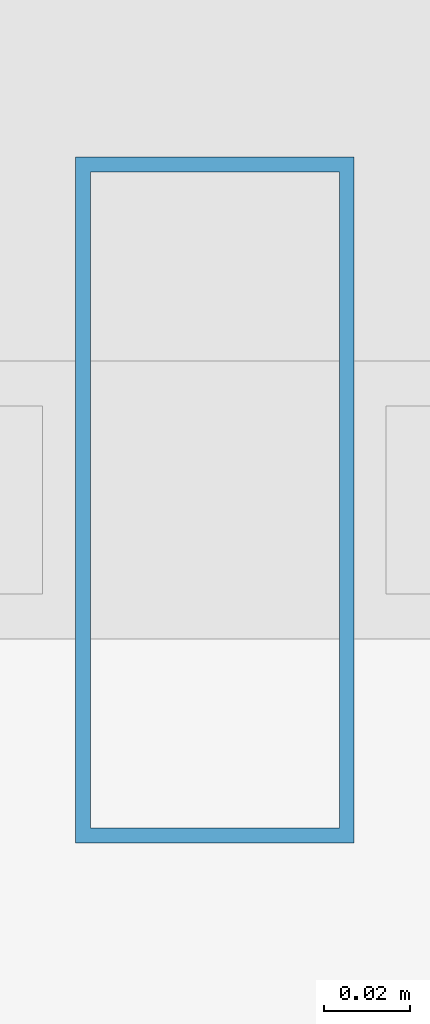
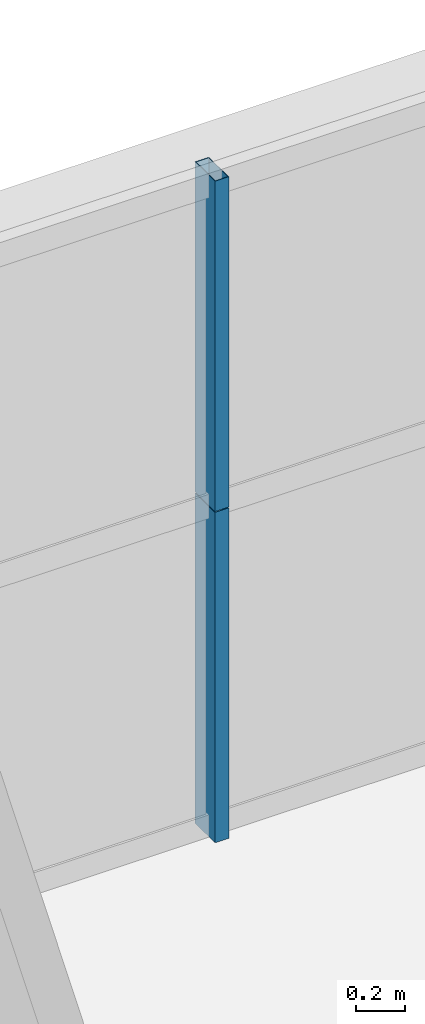
# One storey, part 31 of 42: 2 members, 1 element without a shape of its own.
"""IFC4 building model written with IfcOpenShell, lengths in metres."""

import ifcopenshell
import ifcopenshell.guid

model = None  # the IFC model being written
_history = None  # IfcOwnerHistory: only IFC2X3 demands one
_inside = {}  # id of a spatial element -> (the spatial element, [elements in it])
_under = {}  # id of a project, library or spatial element -> (it, [spatial elements below it])
_declared = {}  # id of a project -> (the project, [libraries it declares])
_typed = {}  # id of a type object -> (the type object, [elements of that type])
_made_of = {}  # id of a material, layer set ... -> (it, [elements and type objects made of it])


def new_model(schema):
    """Start an empty IFC model of exactly this schema.

    Asked for "IFC4X3", IfcOpenShell would pick the latest addendum, in which some entities
    have other attributes; the version numbers below select the first issue.
    IFC2X3 requires an IfcOwnerHistory on every rooted entity: one is made here for all.
    """
    global model, _history
    if schema == "IFC4X3":
        model = ifcopenshell.file(schema_version=(4, 3, 0, 0))
    else:
        model = ifcopenshell.file(schema=schema)
    _inside.clear()
    _under.clear()
    _declared.clear()
    _typed.clear()
    _made_of.clear()
    _history = None
    if model.schema == "IFC2X3":
        org = make("IfcOrganization", Name="unknown")
        user = make(
            "IfcPersonAndOrganization",
            ThePerson=make("IfcPerson", FamilyName="unknown"),
            TheOrganization=org,
        )
        app = make(
            "IfcApplication",
            ApplicationDeveloper=org,
            Version="unknown",
            ApplicationFullName="unknown",
            ApplicationIdentifier="unknown",
        )
        _history = make(
            "IfcOwnerHistory",
            OwningUser=user,
            OwningApplication=app,
            ChangeAction="ADDED",
            CreationDate=0,
        )
    return model


def make(cls, **values):
    """One entity of the class cls with the attributes given. An attribute that is None is left unset."""
    return model.create_entity(
        cls, **{name: value for name, value in values.items() if value is not None}
    )


def rooted(cls, **values):
    """An entity with a GlobalId (a new one), such as an element, a storey or a relation."""
    return make(cls, GlobalId=ifcopenshell.guid.new(), OwnerHistory=_history, **values)


def si_unit(unit_type, name, prefix=None):
    """IfcSIUnit, for example si_unit("LENGTHUNIT", "METRE", prefix="MILLI")."""
    return make("IfcSIUnit", UnitType=unit_type, Prefix=prefix, Name=name)


def assignment(units):
    """IfcUnitAssignment: the units of a project."""
    return None if units is None else make("IfcUnitAssignment", Units=units)


def point(xyz):
    """IfcCartesianPoint."""
    return None if xyz is None else make("IfcCartesianPoint", Coordinates=xyz)


def direction(xyz):
    """IfcDirection."""
    return None if xyz is None else make("IfcDirection", DirectionRatios=xyz)


def frame(location, z_axis=None, x_axis=None):
    """IfcAxis2Placement3D, a coordinate frame: its origin and axes. An axis left out is left unset."""
    return make(
        "IfcAxis2Placement3D",
        Location=point(location),
        Axis=direction(z_axis),
        RefDirection=direction(x_axis),
    )


def frame_2d(location, x_axis=None):
    """IfcAxis2Placement2D, a coordinate frame in the plane: its origin and x axis."""
    return make(
        "IfcAxis2Placement2D", Location=point(location), RefDirection=direction(x_axis)
    )


def origin():
    """The frame at (0, 0, 0) with its axes left unset."""
    return frame((0.0, 0.0, 0.0))


def origin_2d():
    """The frame at (0, 0) in the plane with its x axis left unset."""
    return frame_2d((0.0, 0.0))


def place(relative_to, where):
    """IfcLocalPlacement: puts the frame where relative to a parent placement (None: the world)."""
    return make(
        "IfcLocalPlacement", PlacementRelTo=relative_to, RelativePlacement=where
    )


def context(
    kind, dimensions, precision=None, world=None, true_north=None, identifier=None
):
    """IfcGeometricRepresentationContext, for example the 3D "Model" context."""
    return make(
        "IfcGeometricRepresentationContext",
        ContextIdentifier=identifier,
        ContextType=kind,
        CoordinateSpaceDimension=dimensions,
        Precision=precision,
        WorldCoordinateSystem=world,
        TrueNorth=true_north,
    )


def subcontext(parent, identifier, kind, view, scale=None):
    """IfcGeometricRepresentationSubContext, for example "Body" below "Model"."""
    return make(
        "IfcGeometricRepresentationSubContext",
        ContextIdentifier=identifier,
        ContextType=kind,
        ParentContext=parent,
        TargetScale=scale,
        TargetView=view,
    )


def project(units=None, contexts=None):
    """IfcProject with its units and contexts."""
    return rooted(
        "IfcProject",
        Name="project",
        RepresentationContexts=contexts,
        UnitsInContext=assignment(units),
    )


def spatial(cls, under=None, at=None, **own):
    """A site, building, storey or space (cls), placed at a placement, below another one or the project."""
    s = rooted(cls, ObjectPlacement=at, **own)
    if under is not None:
        _under.setdefault(under.id(), (under, []))[1].append(s)
    return s


def profile(cls, at=None, kind="AREA", **sizes):
    """A parametric profile (cls). Its sizes go by their IFC names, for example OverallWidth=200.0."""
    return make(cls, ProfileType=kind, Position=at, **sizes)


def hollow_rectangle(**sizes):
    """IfcRectangleHollowProfileDef."""
    return profile("IfcRectangleHollowProfileDef", **sizes)


def extrude(swept, where, along, depth):
    """IfcExtrudedAreaSolid: the profile swept, set in the frame where, extruded along a direction by depth."""
    return make(
        "IfcExtrudedAreaSolid",
        SweptArea=swept,
        Position=where,
        ExtrudedDirection=direction(along),
        Depth=depth,
    )


def shape(context_of_items, identifier, shape_type, items):
    """IfcShapeRepresentation: the items that make up one representation, for example the "Body"."""
    return make(
        "IfcShapeRepresentation",
        ContextOfItems=context_of_items,
        RepresentationIdentifier=identifier,
        RepresentationType=shape_type,
        Items=items,
    )


def source(mapping_origin, context_of_items, identifier, shape_type, items):
    """IfcRepresentationMap: a shape defined once, which mapped items show again and again."""
    return make(
        "IfcRepresentationMap",
        MappingOrigin=mapping_origin,
        MappedRepresentation=shape(context_of_items, identifier, shape_type, items),
    )


def transform(
    local_origin,
    x_axis=None,
    y_axis=None,
    z_axis=None,
    scale=None,
    scale2=None,
    scale3=None,
    uniform=True,
):
    """IfcCartesianTransformationOperator3D, or its non-uniform kind. x_axis, y_axis, z_axis: its Axis1, 2, 3."""
    if uniform:
        return make(
            "IfcCartesianTransformationOperator3D",
            Axis1=direction(x_axis),
            Axis2=direction(y_axis),
            LocalOrigin=point(local_origin),
            Scale=scale,
            Axis3=direction(z_axis),
        )
    return make(
        "IfcCartesianTransformationOperator3DnonUniform",
        Axis1=direction(x_axis),
        Axis2=direction(y_axis),
        LocalOrigin=point(local_origin),
        Scale=scale,
        Axis3=direction(z_axis),
        Scale2=scale2,
        Scale3=scale3,
    )


def mapped(mapping_source, mapping_target):
    """IfcMappedItem: shows the shape of a source again, moved by a transform."""
    return make(
        "IfcMappedItem", MappingSource=mapping_source, MappingTarget=mapping_target
    )


def material(Name=None, Category=None):
    """IfcMaterial."""
    return make("IfcMaterial", Name=Name, Category=Category)


def layer(
    of_material, thickness, ventilated=None, Name=None, Category=None, Priority=None
):
    """IfcMaterialLayer: one layer of a wall or slab, of a material (None: an air gap)."""
    return make(
        "IfcMaterialLayer",
        Material=of_material,
        LayerThickness=thickness,
        IsVentilated=ventilated,
        Name=Name,
        Category=Category,
        Priority=Priority,
    )


def layer_set(layers, Name=None):
    """IfcMaterialLayerSet."""
    return make("IfcMaterialLayerSet", MaterialLayers=layers, LayerSetName=Name)


def material_profile(
    of_material, cross_section, Name=None, Category=None, Priority=None
):
    """IfcMaterialProfile: a cross section and its material."""
    return make(
        "IfcMaterialProfile",
        Name=Name,
        Material=of_material,
        Profile=cross_section,
        Priority=Priority,
        Category=Category,
    )


def profile_set(profiles, Name=None, composite=None):
    """IfcMaterialProfileSet."""
    return make(
        "IfcMaterialProfileSet",
        Name=Name,
        MaterialProfiles=profiles,
        CompositeProfile=composite,
    )


def made_of(thing, what):
    """Note that an element or type object is made of a material, layer set ...; save() writes the relation."""
    if what is not None:
        _made_of.setdefault(what.id(), (what, []))[1].append(thing)
    return thing


def type_object(cls, material=None, **own):
    """A type object (cls), such as IfcWallType, which elements share."""
    return made_of(rooted(cls, **own), material)


def element(
    cls,
    number,
    at=None,
    inside=None,
    cuts=None,
    type_object=None,
    material=None,
    context=None,
    identifier="Body",
    shape_type=None,
    held_by="IfcProductDefinitionShape",
    body=None,
    shapes=None,
    **own,
):
    """One element of the class cls, such as IfcWall. Its Tag is "e" and its number.

    at: its placement. inside: the storey or other place that contains it. cuts: it is an
    opening in that element (IfcRelVoidsElement). A single representation is given by context,
    identifier, shape_type and body (its items); several are given by shapes. held_by: the class
    of the entity that holds the representations. save() writes the other relations.
    """
    e = rooted(cls, Tag="e%d" % number, ObjectPlacement=at, **own)
    if body is not None:
        shapes = [shape(context, identifier, shape_type, body)]
    if shapes is not None:
        e.Representation = make(held_by, Representations=shapes)
    if inside is not None:
        _inside.setdefault(inside.id(), (inside, []))[1].append(e)
    if cuts is not None:
        rooted(
            "IfcRelVoidsElement", RelatingBuildingElement=cuts, RelatedOpeningElement=e
        )
    if type_object is not None:
        _typed.setdefault(type_object.id(), (type_object, []))[1].append(e)
    return made_of(e, material)


def aggregate(whole, parts):
    """IfcRelAggregates: a whole, such as a stair, and the parts it consists of."""
    return rooted("IfcRelAggregates", RelatingObject=whole, RelatedObjects=parts)


def save(model, path):
    """Write the relations noted so far, then the file.

    IfcRelAggregates (storeys below a building ...), IfcRelContainedInSpatialStructure (elements
    in a storey), IfcRelDefinesByType, IfcRelAssociatesMaterial and IfcRelDeclares: one each for
    every whole, place, type object, material and project.
    """
    for whole, parts in _under.values():
        aggregate(whole, parts)
    for where, things in _inside.values():
        rooted(
            "IfcRelContainedInSpatialStructure",
            RelatedElements=things,
            RelatingStructure=where,
        )
    for kind, things in _typed.values():
        rooted("IfcRelDefinesByType", RelatedObjects=things, RelatingType=kind)
    for what, things in _made_of.values():
        rooted("IfcRelAssociatesMaterial", RelatedObjects=things, RelatingMaterial=what)
    for by, libraries in _declared.values():
        rooted("IfcRelDeclares", RelatingContext=by, RelatedDefinitions=libraries)
    model.write(path)


model = new_model("IFC4")

# Units and contexts
model_context = context("Model", 3, precision=1e-05, world=origin(), true_north=direction((0.0, 1.0)))
body_context = subcontext(model_context, "Body", "Model", "MODEL_VIEW")
ifc_project = project(units=[si_unit("LENGTHUNIT", "METRE"), si_unit("AREAUNIT", "SQUARE_METRE"), si_unit("VOLUMEUNIT", "CUBIC_METRE"), si_unit("PLANEANGLEUNIT", "RADIAN"), si_unit("MASSUNIT", "GRAM", prefix="KILO"), si_unit("THERMODYNAMICTEMPERATUREUNIT", "KELVIN"), si_unit("POWERUNIT", "WATT")], contexts=[model_context])

# Site, building, storey
site_placement = place(None, origin())
site = spatial("IfcSite", under=ifc_project, at=site_placement, CompositionType="ELEMENT")
building_placement = place(site_placement, origin())
building = spatial("IfcBuilding", under=site, at=building_placement, Name="Yuzanri Waterfront Tower", CompositionType="ELEMENT")
storey_placement = place(building_placement, frame((0.0, 0.0, 184.5)))
storey = spatial("IfcBuildingStorey", under=building, at=storey_placement, Name="L48", CompositionType="ELEMENT", Elevation=184.5)

# Curtain wall, members
ifc_material_1 = material(Name="Anodized Architectural Bronze", Category="metal")
ifc_layer = layer(ifc_material_1, 0.159912109375)
ifc_layer_set = layer_set([ifc_layer], Name="Anodized Architectural Bronze")
curtain_wall_type = type_object("IfcCurtainWallType", Name="Anodized Bronze Mid-Rise Residential Acoustic Unitized Curtain Wall 7200", PredefinedType="NOTDEFINED", material=ifc_layer_set)
curtain_wall_placement = place(storey_placement, origin())
curtain_wall = element("IfcCurtainWall", 1, at=curtain_wall_placement, inside=storey, type_object=curtain_wall_type, Name="L48 Curtain Wall CW-L48-NL", PredefinedType="NOTDEFINED")
ifc_material_2 = material(Name="Anodized Architectural Bronze", Category="metal")
ifc_material_profile = material_profile(ifc_material_2, hollow_rectangle(XDim=0.06494140625, YDim=0.159912109375, WallThickness=0.00341796875, at=origin_2d()), Name="CWM 65x160")
ifc_profile_set = profile_set([ifc_material_profile], Name="Anodized Architectural Bronze")
member_type = type_object("IfcMemberType", Name="Anodized Bronze Upper-Zone Curtain-Wall Mullion 65x160", PredefinedType="MULLION", material=ifc_profile_set)
shared_shape = source(origin(), body_context, "Body", "SweptSolid", [
    extrude(hollow_rectangle(XDim=0.06494140625, YDim=0.159912109375, WallThickness=0.00341796875, at=origin_2d()), origin(), (0.0, 0.0, 1.0), 1.637939453125),
])
member_1_placement = place(storey_placement, frame((29.425048828125, 47.75, 0.0), z_axis=(0.0, 0.0, 1.0), x_axis=(1.0, 0.0, 0.0)))
member_1 = element("IfcMember", 2, at=member_1_placement, type_object=member_type, Name="CW-L48-NL Lower Mullion 01", PredefinedType="MULLION", context=body_context, shape_type="MappedRepresentation", body=[
    mapped(shared_shape, transform((0.0, 0.0, 0.0), scale=1.0)),
])
member_2_placement = place(storey_placement, frame((29.425048828125, 47.75, 1.64208984375), z_axis=(0.0, 0.0, 1.0), x_axis=(1.0, 0.0, 0.0)))
member_2 = element("IfcMember", 3, at=member_2_placement, type_object=member_type, Name="CW-L48-NL Upper Mullion 01", PredefinedType="MULLION", context=body_context, shape_type="MappedRepresentation", body=[
    mapped(shared_shape, transform((0.0, 0.0, 0.0), scale=1.0)),
])
aggregate(curtain_wall, [member_1, member_2])

save(model, "model.ifc")
